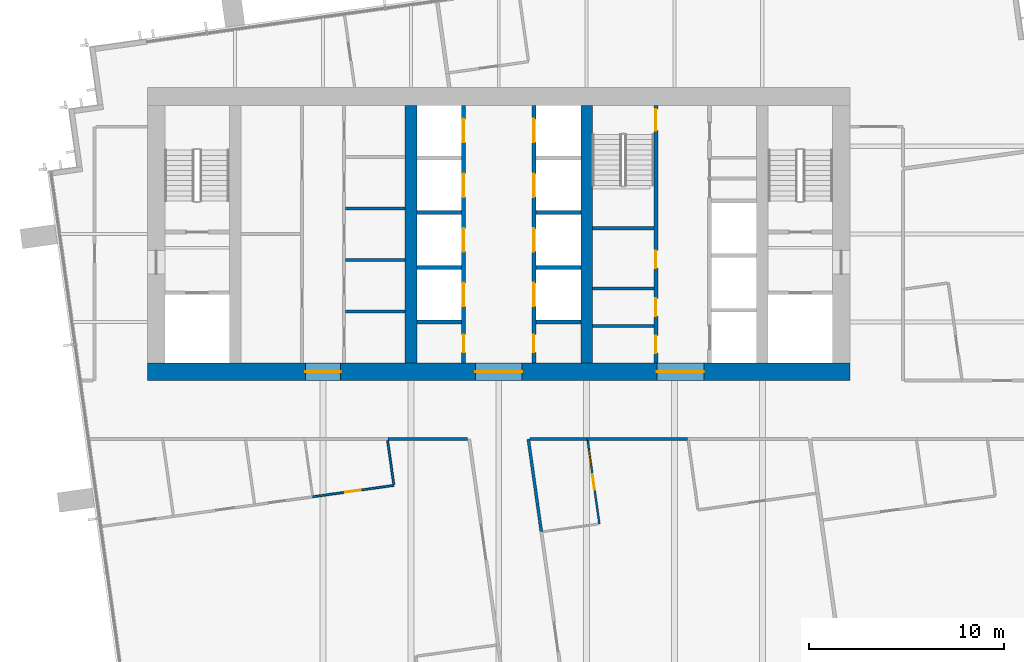
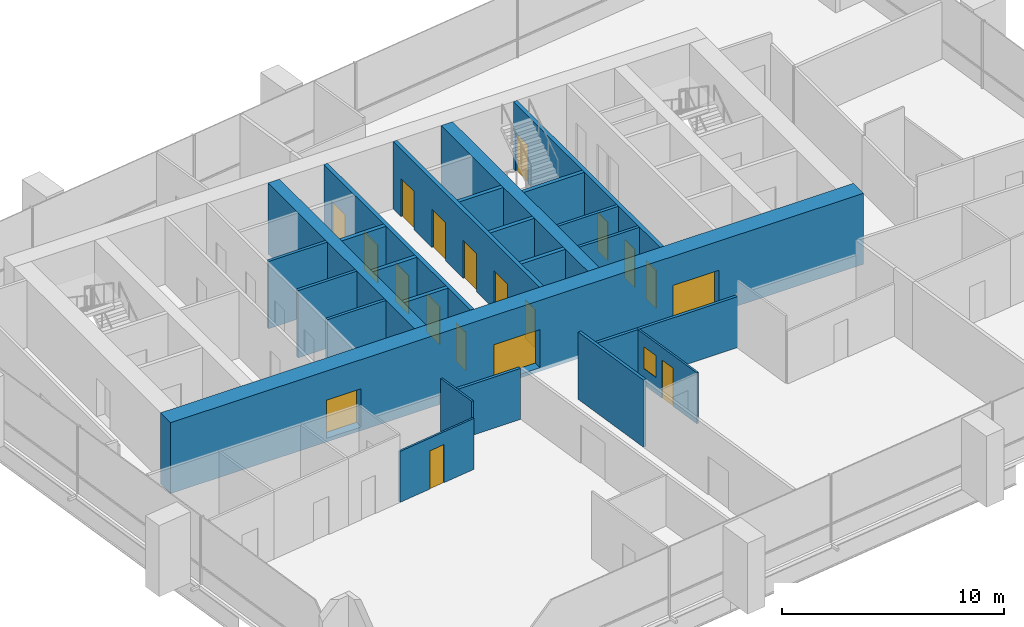
# One storey, part 10 of 14: 25 walls, 19 doors, 1 window, 20 openings.
"""IFC4 building model written with IfcOpenShell, lengths in metres."""

from ifc_helpers import new_model, si_unit, direction, frame, frame_2d, origin, place, context, subcontext, project, spatial, rectangle, extrude, material, layer, layer_set, type_object, element, fill, save


model = new_model("IFC4")

# Units and contexts
model_context = context("Model", 3, precision=1e-05, world=origin(), true_north=direction((0.0, 1.0)))
body_context = subcontext(model_context, "Body", "Model", "MODEL_VIEW")
ifc_project = project(units=[si_unit("LENGTHUNIT", "METRE"), si_unit("AREAUNIT", "SQUARE_METRE"), si_unit("VOLUMEUNIT", "CUBIC_METRE"), si_unit("PLANEANGLEUNIT", "RADIAN"), si_unit("MASSUNIT", "GRAM", prefix="KILO")], contexts=[model_context])

# Site, building, storey
site_placement = place(None, origin())
site = spatial("IfcSite", under=ifc_project, at=site_placement, CompositionType="ELEMENT")
building_placement = place(site_placement, origin())
building = spatial("IfcBuilding", under=site, at=building_placement, Name="Rattan Terrace Tower", CompositionType="ELEMENT")
storey_placement = place(building_placement, frame((0.0, 0.0, 229.10009765625)))
storey = spatial("IfcBuildingStorey", under=building, at=storey_placement, Name="L52", CompositionType="ELEMENT", Elevation=229.10009765625)

# Walls
ifc_material_1 = material(Name="Gypsum board partition")
ifc_layer_1 = layer(ifc_material_1, 0.14990234375)
ifc_layer_set_1 = layer_set([ifc_layer_1], Name="Core partition 150")
wall_type_1 = type_object("IfcWallType", Name="Core partition 150", PredefinedType="PARTITIONING", material=ifc_layer_set_1)
for number, where, z_axis, x_axis, name in (
    (1, (-7.85009765625, -3.9599609375, 0.0), (0.0, 0.0, 1.0), (1.0, 0.0, 0.0), "Core room wall"),
    (2, (-7.85009765625, -1.320068359375, 0.0), (0.0, 0.0, 1.0), (1.0, 0.0, 0.0), "Core room wall"),
    (3, (-7.85009765625, 1.320068359375, 0.0), (0.0, 0.0, 1.0), (1.0, 0.0, 0.0), "Core room wall"),
):
    element("IfcWall", number, at=place(storey_placement, frame(where, z_axis=z_axis, x_axis=x_axis)), inside=storey, type_object=wall_type_1, Name=name, PredefinedType="PARTITIONING", context=body_context, shape_type="SweptSolid", body=[
        extrude(rectangle(XDim=3.050048828125, YDim=0.14990234375, at=frame_2d((1.52490234375, 0.0))), origin(), (0.0, 0.0, 1.0), 3.699951171875),
    ])
for number, where, z_axis, x_axis, name in (
    (4, (4.800048828125, -4.696044921875, 0.0), (0.0, 0.0, 1.0), (1.0, 0.0, 0.0), "Toilet wall"),
    (5, (4.800048828125, -2.7919921875, 0.0), (0.0, 0.0, 1.0), (1.0, 0.0, 0.0), "Toilet wall"),
):
    element("IfcWall", number, at=place(storey_placement, frame(where, z_axis=z_axis, x_axis=x_axis)), inside=storey, type_object=wall_type_1, Name=name, PredefinedType="PARTITIONING", context=body_context, shape_type="SweptSolid", body=[
        extrude(rectangle(XDim=3.14990234375, YDim=0.14990234375, at=frame_2d((1.574951171875, 0.0))), origin(), (0.0, 0.0, 1.0), 3.699951171875),
    ])

# Wall, openings, doors
ifc_material_2 = material(Name="Gypsum board partition")
ifc_layer_2 = layer(ifc_material_2, 0.199951171875)
ifc_layer_set_2 = layer_set([ifc_layer_2], Name="Core partition 200")
wall_type_2 = type_object("IfcWallType", Name="Core partition 200", PredefinedType="PARTITIONING", material=ifc_layer_set_2)
wall_1_placement = place(storey_placement, frame((8.050048828125, -6.60009765625, 0.0), z_axis=(0.0, 0.0, 1.0), x_axis=(0.0, 1.0, 0.0)))
wall_1 = element("IfcWall", 6, at=wall_1_placement, inside=storey, type_object=wall_type_2, Name="Lobby wall west", PredefinedType="PARTITIONING", context=body_context, shape_type="SweptSolid", body=[
    extrude(rectangle(XDim=13.2001953125, YDim=0.199951171875, at=frame_2d((6.60009765625, 0.0))), origin(), (0.0, 0.0, 1.0), 3.699951171875),
])
opening_1_placement = place(wall_1_placement, frame((0.501953125, 0.0, 0.0)))
opening_1 = element("IfcOpeningElement", 7, at=opening_1_placement, cuts=wall_1, Name="Opening L52-D016", PredefinedType="OPENING", context=body_context, shape_type="SweptSolid", body=[
    extrude(rectangle(XDim=0.89990234375, YDim=2.10009765625, at=frame_2d((0.449951171875, 1.050048828125))), frame((0.0, 0.110595703125, 0.0), z_axis=(0.0, -1.0, 0.0), x_axis=(1.0, 0.0, 0.0)), (0.0, 0.0, 1.0), 0.220947265625),
])
opening_2_placement = place(wall_1_placement, frame((2.406005859375, 0.0, 0.0)))
opening_2 = element("IfcOpeningElement", 8, at=opening_2_placement, cuts=wall_1, Name="Opening L52-D017", PredefinedType="OPENING", context=body_context, shape_type="SweptSolid", body=[
    extrude(rectangle(XDim=0.89990234375, YDim=2.10009765625, at=frame_2d((0.449951171875, 1.050048828125))), frame((0.0, 0.110595703125, 0.0), z_axis=(0.0, -1.0, 0.0), x_axis=(1.0, 0.0, 0.0)), (0.0, 0.0, 1.0), 0.220947265625),
])
opening_3_placement = place(wall_1_placement, frame((4.85400390625, 0.0, 0.0)))
opening_3 = element("IfcOpeningElement", 9, at=opening_3_placement, cuts=wall_1, Name="Opening L52-D018", PredefinedType="OPENING", context=body_context, shape_type="SweptSolid", body=[
    extrude(rectangle(XDim=0.89990234375, YDim=2.10009765625, at=frame_2d((0.449951171875, 1.050048828125))), frame((0.0, 0.110595703125, 0.0), z_axis=(0.0, -1.0, 0.0), x_axis=(1.0, 0.0, 0.0)), (0.0, 0.0, 1.0), 0.220947265625),
])
opening_4_placement = place(wall_1_placement, frame((11.89990234375, 0.0, 0.0)))
opening_4 = element("IfcOpeningElement", 10, at=opening_4_placement, cuts=wall_1, Name="Opening L52-D019", PredefinedType="OPENING", context=body_context, shape_type="SweptSolid", body=[
    extrude(rectangle(XDim=1.10009765625, YDim=2.10009765625, at=frame_2d((0.550048828125, 1.050048828125))), frame((0.0, 0.110595703125, 0.0), z_axis=(0.0, -1.0, 0.0), x_axis=(1.0, 0.0, 0.0)), (0.0, 0.0, 1.0), 0.220947265625),
])
ifc_material_3 = material(Name="Hollow-metal fire door leaf")
door_type_1 = type_object("IfcDoorType", Name="Core stair door 1100", OperationType="NOTDEFINED", PredefinedType="DOOR", material=ifc_material_3)
door_1_placement = place(opening_4_placement, origin())
door_1 = element("IfcDoor", 11, at=door_1_placement, inside=storey, type_object=door_type_1, Name="Door L52-D019", OperationType="SINGLE_SWING_LEFT", OverallHeight=2.10009765625, OverallWidth=1.10009765625, PredefinedType="DOOR", context=body_context, shape_type="SweptSolid", body=[
    extrude(rectangle(XDim=1.10009765625, YDim=2.10009765625, at=frame_2d((0.550048828125, 1.050048828125))), frame((0.0, 0.02490234375, 0.0), z_axis=(0.0, -1.0, 0.0), x_axis=(1.0, 0.0, 0.0)), (0.0, 0.0, 1.0), 0.050048828125),
])
fill(opening_4, door_1)
ifc_material_4 = material(Name="Hollow-metal fire door leaf")
door_type_2 = type_object("IfcDoorType", Name="Core toilet door 900", OperationType="NOTDEFINED", PredefinedType="DOOR", material=ifc_material_4)
door_2_placement = place(opening_1_placement, origin())
door_2 = element("IfcDoor", 12, at=door_2_placement, inside=storey, type_object=door_type_2, Name="Door L52-D016", OperationType="SINGLE_SWING_RIGHT", OverallHeight=2.10009765625, OverallWidth=0.89990234375, PredefinedType="DOOR", context=body_context, shape_type="SweptSolid", body=[
    extrude(rectangle(XDim=0.89990234375, YDim=2.10009765625, at=frame_2d((0.449951171875, 1.050048828125))), frame((0.0, 0.02490234375, 0.0), z_axis=(0.0, -1.0, 0.0), x_axis=(1.0, 0.0, 0.0)), (0.0, 0.0, 1.0), 0.050048828125),
])
fill(opening_1, door_2)
door_3_placement = place(opening_2_placement, origin())
door_3 = element("IfcDoor", 13, at=door_3_placement, inside=storey, type_object=door_type_2, Name="Door L52-D017", OperationType="SINGLE_SWING_LEFT", OverallHeight=2.10009765625, OverallWidth=0.89990234375, PredefinedType="DOOR", context=body_context, shape_type="SweptSolid", body=[
    extrude(rectangle(XDim=0.89990234375, YDim=2.10009765625, at=frame_2d((0.449951171875, 1.050048828125))), frame((0.0, 0.02490234375, 0.0), z_axis=(0.0, -1.0, 0.0), x_axis=(1.0, 0.0, 0.0)), (0.0, 0.0, 1.0), 0.050048828125),
])
fill(opening_2, door_3)
door_4_placement = place(opening_3_placement, origin())
door_4 = element("IfcDoor", 14, at=door_4_placement, inside=storey, type_object=door_type_2, Name="Door L52-D018", OperationType="SINGLE_SWING_RIGHT", OverallHeight=2.10009765625, OverallWidth=0.89990234375, PredefinedType="DOOR", context=body_context, shape_type="SweptSolid", body=[
    extrude(rectangle(XDim=0.89990234375, YDim=2.10009765625, at=frame_2d((0.449951171875, 1.050048828125))), frame((0.0, 0.02490234375, 0.0), z_axis=(0.0, -1.0, 0.0), x_axis=(1.0, 0.0, 0.0)), (0.0, 0.0, 1.0), 0.050048828125),
])
fill(opening_3, door_4)

# Wall
wall_2_placement = place(storey_placement, frame((4.800048828125, 0.300048828125, 0.0), z_axis=(0.0, 0.0, 1.0), x_axis=(1.0, 0.0, 0.0)))
element("IfcWall", 15, at=wall_2_placement, inside=storey, type_object=wall_type_2, Name="Stair enclosure wall", PredefinedType="PARTITIONING", context=body_context, shape_type="SweptSolid", body=[
    extrude(rectangle(XDim=3.14990234375, YDim=0.199951171875, at=frame_2d((1.574951171875, 0.0))), origin(), (0.0, 0.0, 1.0), 3.699951171875),
])

# Wall, openings, doors
ifc_material_5 = material(Name="Concrete C50/60", Category="concrete")
ifc_layer_3 = layer(ifc_material_5, 0.89990234375)
ifc_layer_set_3 = layer_set([ifc_layer_3], Name="Core ring wall 900 C50/60")
wall_type_3 = type_object("IfcWallType", Name="Core ring wall 900 C50/60", PredefinedType="SHEAR", material=ifc_layer_set_3)
wall_3_placement = place(storey_placement, frame((-18.0, -7.050048828125, -0.2001953125), z_axis=(0.0, 0.0, 1.0), x_axis=(1.0, 0.0, 0.0)))
wall_3 = element("IfcWall", 16, at=wall_3_placement, inside=storey, type_object=wall_type_3, Name="Rear core wall south", PredefinedType="SHEAR", context=body_context, shape_type="SweptSolid", body=[
    extrude(rectangle(XDim=36.0, YDim=0.89990234375, at=frame_2d((18.0, 0.0))), origin(), (0.0, 0.0, 1.0), 3.900146484375),
])
opening_5_placement = place(wall_3_placement, frame((8.10009765625, 0.0, 0.199951171875)))
opening_5 = element("IfcOpeningElement", 17, at=opening_5_placement, cuts=wall_3, Name="Opening L52-D012", PredefinedType="OPENING", context=body_context, shape_type="SweptSolid", body=[
    extrude(rectangle(XDim=1.800048828125, YDim=2.10009765625, at=frame_2d((0.89990234375, 1.050048828125))), frame((0.0, 0.46044921875, 0.0), z_axis=(0.0, -1.0, 0.0), x_axis=(1.0, 0.0, 0.0)), (0.0, 0.0, 1.0), 0.9208984375),
])
opening_6_placement = place(wall_3_placement, frame((16.800048828125, 0.0, 0.199951171875)))
opening_6 = element("IfcOpeningElement", 18, at=opening_6_placement, cuts=wall_3, Name="Opening L52-D015", PredefinedType="OPENING", context=body_context, shape_type="SweptSolid", body=[
    extrude(rectangle(XDim=2.39990234375, YDim=2.10009765625, at=frame_2d((1.199951171875, 1.050048828125))), frame((0.0, 0.46044921875, 0.0), z_axis=(0.0, -1.0, 0.0), x_axis=(1.0, 0.0, 0.0)), (0.0, 0.0, 1.0), 0.9208984375),
])
opening_7_placement = place(wall_3_placement, frame((26.10009765625, 0.0, 0.199951171875)))
opening_7 = element("IfcOpeningElement", 19, at=opening_7_placement, cuts=wall_3, Name="Opening L52-D020", PredefinedType="OPENING", context=body_context, shape_type="SweptSolid", body=[
    extrude(rectangle(XDim=2.39990234375, YDim=2.10009765625, at=frame_2d((1.199951171875, 1.050048828125))), frame((0.0, 0.46044921875, 0.0), z_axis=(0.0, -1.0, 0.0), x_axis=(1.0, 0.0, 0.0)), (0.0, 0.0, 1.0), 0.9208984375),
])
ifc_material_6 = material(Name="Hollow-metal fire door leaf")
door_type_3 = type_object("IfcDoorType", Name="Core lift lobby door 2400", OperationType="NOTDEFINED", PredefinedType="DOOR", material=ifc_material_6)
door_5_placement = place(opening_6_placement, origin())
door_5 = element("IfcDoor", 20, at=door_5_placement, inside=storey, type_object=door_type_3, Name="Door L52-D015", OperationType="DOUBLE_DOOR_DOUBLE_SWING", OverallHeight=2.10009765625, OverallWidth=2.39990234375, PredefinedType="DOOR", context=body_context, shape_type="SweptSolid", body=[
    extrude(rectangle(XDim=2.39990234375, YDim=2.10009765625, at=frame_2d((1.199951171875, 1.050048828125))), frame((0.0, 0.02490234375, 0.0), z_axis=(0.0, -1.0, 0.0), x_axis=(1.0, 0.0, 0.0)), (0.0, 0.0, 1.0), 0.050048828125),
])
fill(opening_6, door_5)
door_6_placement = place(opening_7_placement, origin())
door_6 = element("IfcDoor", 21, at=door_6_placement, inside=storey, type_object=door_type_3, Name="Door L52-D020", OperationType="DOUBLE_DOOR_DOUBLE_SWING", OverallHeight=2.10009765625, OverallWidth=2.39990234375, PredefinedType="DOOR", context=body_context, shape_type="SweptSolid", body=[
    extrude(rectangle(XDim=2.39990234375, YDim=2.10009765625, at=frame_2d((1.199951171875, 1.050048828125))), frame((0.0, 0.02490234375, 0.0), z_axis=(0.0, -1.0, 0.0), x_axis=(1.0, 0.0, 0.0)), (0.0, 0.0, 1.0), 0.050048828125),
])
fill(opening_7, door_6)
ifc_material_7 = material(Name="Hollow-metal fire door leaf")
door_type_4 = type_object("IfcDoorType", Name="Core service room door 1800", OperationType="NOTDEFINED", PredefinedType="DOOR", material=ifc_material_7)
door_7_placement = place(opening_5_placement, origin())
door_7 = element("IfcDoor", 22, at=door_7_placement, inside=storey, type_object=door_type_4, Name="Door L52-D012", OperationType="SINGLE_SWING_LEFT", OverallHeight=2.10009765625, OverallWidth=1.800048828125, PredefinedType="DOOR", context=body_context, shape_type="SweptSolid", body=[
    extrude(rectangle(XDim=1.800048828125, YDim=2.10009765625, at=frame_2d((0.89990234375, 1.050048828125))), frame((0.0, 0.02490234375, 0.0), z_axis=(0.0, -1.0, 0.0), x_axis=(1.0, 0.0, 0.0)), (0.0, 0.0, 1.0), 0.050048828125),
])
fill(opening_5, door_7)

# Walls
ifc_material_8 = material(Name="Concrete C50/60", Category="concrete")
ifc_layer_4 = layer(ifc_material_8, 0.60009765625)
ifc_layer_set_4 = layer_set([ifc_layer_4], Name="Core spine wall 600 C50/60")
wall_type_4 = type_object("IfcWallType", Name="Core spine wall 600 C50/60", PredefinedType="SHEAR", material=ifc_layer_set_4)
for number, where, z_axis, x_axis, name in (
    (23, (-4.5, -6.60009765625, -0.2001953125), (0.0, 0.0, 1.0), (0.0, 1.0, 0.0), "Core spine wall 2"),
    (24, (4.5, -6.60009765625, -0.2001953125), (0.0, 0.0, 1.0), (0.0, 1.0, 0.0), "Core spine wall 3"),
):
    element("IfcWall", number, at=place(storey_placement, frame(where, z_axis=z_axis, x_axis=x_axis)), inside=storey, type_object=wall_type_4, Name=name, PredefinedType="SHEAR", context=body_context, shape_type="SweptSolid", body=[
        extrude(rectangle(XDim=13.2001953125, YDim=0.60009765625, at=frame_2d((6.60009765625, 0.0))), origin(), (0.0, 0.0, 1.0), 3.900146484375),
    ])

# Wall, opening, door
ifc_material_9 = material(Name="Gypsum board partition on steel studs", Category="steel")
ifc_layer_5 = layer(ifc_material_9, 0.10009765625)
ifc_layer_set_5 = layer_set([ifc_layer_5], Name="Floors Partition 100")
wall_type_5 = type_object("IfcWallType", Name="Floors Partition 100", PredefinedType="PARTITIONING", material=ifc_layer_set_5)
wall_4_placement = place(storey_placement, frame((-9.549072265625, -13.4560546875, 0.0), z_axis=(0.0, 0.0, 1.0), x_axis=(0.99027315077, 0.139136935655, 0.0)))
wall_4 = element("IfcWall", 25, at=wall_4_placement, inside=storey, type_object=wall_type_5, Name="pt-L52-030", PredefinedType="PARTITIONING", context=body_context, shape_type="SweptSolid", body=[
    extrude(rectangle(XDim=4.219970703125, YDim=0.10009765625, at=frame_2d((2.10986328125, 0.0))), origin(), (0.0, 0.0, 1.0), 2.7998046875),
])
opening_8_placement = place(wall_4_placement, frame((1.7099609375, 0.0, 0.0)))
opening_8 = element("IfcOpeningElement", 26, at=opening_8_placement, cuts=wall_4, Name="Opening L52-D105", PredefinedType="OPENING", context=body_context, shape_type="SweptSolid", body=[
    extrude(rectangle(XDim=0.800048828125, YDim=2.10009765625, at=frame_2d((0.39990234375, 1.050048828125))), frame((0.0, 0.060546875, 0.0), z_axis=(0.0, -1.0, 0.0), x_axis=(1.0, 0.0, 0.0)), (0.0, 0.0, 1.0), 0.12109375),
])
ifc_material_10 = material(Name="Solid core timber door, painted", Category="wood")
door_type_5 = type_object("IfcDoorType", Name="Floors Store Door 800x2100", OperationType="NOTDEFINED", PredefinedType="DOOR", material=ifc_material_10)
door_8_placement = place(opening_8_placement, origin())
door_8 = element("IfcDoor", 27, at=door_8_placement, inside=storey, type_object=door_type_5, Name="d-L52-105", OperationType="SINGLE_SWING_RIGHT", OverallHeight=2.10009765625, OverallWidth=0.800048828125, PredefinedType="DOOR", context=body_context, shape_type="SweptSolid", body=[
    extrude(rectangle(XDim=0.800048828125, YDim=2.10009765625, at=frame_2d((0.39990234375, 1.050048828125))), frame((0.0, 0.02490234375, 0.0), z_axis=(0.0, -1.0, 0.0), x_axis=(1.0, 0.0, 0.0)), (0.0, 0.0, 1.0), 0.050048828125),
])
fill(opening_8, door_8)

# Wall
wall_5_placement = place(storey_placement, frame((-5.376953125, -12.819091796875, 0.0), z_axis=(0.0, 0.0, 1.0), x_axis=(-0.139090262588, 0.990279707382, 0.0)))
element("IfcWall", 28, at=wall_5_placement, inside=storey, type_object=wall_type_5, Name="pt-L52-031", PredefinedType="PARTITIONING", context=body_context, shape_type="SweptSolid", body=[
    extrude(rectangle(XDim=2.273193359375, YDim=0.10009765625, at=frame_2d((1.13671875, 0.0))), origin(), (0.0, 0.0, 1.0), 3.699951171875),
])

# Wall, openings, door, window
wall_6_placement = place(storey_placement, frame((5.154052734375, -14.8359375, 0.0), z_axis=(0.0, 0.0, 1.0), x_axis=(-0.139240076126, 0.990258653686, 0.0)))
wall_6 = element("IfcWall", 29, at=wall_6_placement, inside=storey, type_object=wall_type_5, Name="pt-L52-036", PredefinedType="PARTITIONING", context=body_context, shape_type="SweptSolid", body=[
    extrude(rectangle(XDim=4.309814453125, YDim=0.10009765625, at=frame_2d((2.15478515625, 0.0))), origin(), (0.0, 0.0, 1.0), 2.7998046875),
])
opening_9_placement = place(wall_6_placement, frame((1.7548828125, 0.0, 0.0)))
opening_9 = element("IfcOpeningElement", 30, at=opening_9_placement, cuts=wall_6, Name="Opening L52-D107", PredefinedType="OPENING", context=body_context, shape_type="SweptSolid", body=[
    extrude(rectangle(XDim=0.800048828125, YDim=2.10009765625, at=frame_2d((0.39990234375, 1.050048828125))), frame((0.0, 0.060546875, 0.0), z_axis=(0.0, -1.0, 0.0), x_axis=(1.0, 0.0, 0.0)), (0.0, 0.0, 1.0), 0.12109375),
])
opening_10_placement = place(wall_6_placement, frame((2.97412109375, 0.0, 0.89990234375)))
opening_10 = element("IfcOpeningElement", 31, at=opening_10_placement, cuts=wall_6, Name="Opening L52-W102", PredefinedType="OPENING", context=body_context, shape_type="SweptSolid", body=[
    extrude(rectangle(XDim=0.89990234375, YDim=1.199951171875, at=frame_2d((0.449951171875, 0.60009765625))), frame((0.0, 0.060546875, 0.0), z_axis=(0.0, -1.0, 0.0), x_axis=(1.0, 0.0, 0.0)), (0.0, 0.0, 1.0), 0.12109375),
])
door_9_placement = place(opening_9_placement, origin())
door_9 = element("IfcDoor", 32, at=door_9_placement, inside=storey, type_object=door_type_5, Name="d-L52-107", OperationType="SINGLE_SWING_RIGHT", OverallHeight=2.10009765625, OverallWidth=0.800048828125, PredefinedType="DOOR", context=body_context, shape_type="SweptSolid", body=[
    extrude(rectangle(XDim=0.800048828125, YDim=2.10009765625, at=frame_2d((0.39990234375, 1.050048828125))), frame((0.0, 0.02490234375, 0.0), z_axis=(0.0, -1.0, 0.0), x_axis=(1.0, 0.0, 0.0)), (0.0, 0.0, 1.0), 0.050048828125),
])
fill(opening_9, door_9)
ifc_material_11 = material(Name="Glass, clear, fixed in aluminium frame", Category="aluminium")
window_type = type_object("IfcWindowType", Name="Interior Vision Window 900x1200", PartitioningType="SINGLE_PANEL", PredefinedType="WINDOW", material=ifc_material_11)
window_placement = place(opening_10_placement, origin())
window = element("IfcWindow", 33, at=window_placement, inside=storey, type_object=window_type, Name="w-L52-102", OverallHeight=1.199951171875, OverallWidth=0.89990234375, PartitioningType="SINGLE_PANEL", PredefinedType="WINDOW", context=body_context, shape_type="SweptSolid", body=[
    extrude(rectangle(XDim=0.89990234375, YDim=1.199951171875, at=frame_2d((0.449951171875, 0.60009765625))), frame((0.0, 0.030029296875, 0.0), z_axis=(0.0, -1.0, 0.0), x_axis=(1.0, 0.0, 0.0)), (0.0, 0.0, 1.0), 0.06005859375),
])
fill(opening_10, window)

# Walls
ifc_material_12 = material(Name="Gypsum board partition on steel studs, fire rated", Category="steel")
ifc_layer_6 = layer(ifc_material_12, 0.14990234375)
ifc_layer_set_6 = layer_set([ifc_layer_6], Name="Floors Tenancy Wall 150")
wall_type_6 = type_object("IfcWallType", Name="Floors Tenancy Wall 150", PredefinedType="PARTITIONING", material=ifc_layer_set_6)
wall_7_placement = place(storey_placement, frame((-1.589111328125, -10.5, 0.0), z_axis=(0.0, 0.0, 1.0), x_axis=(-1.0, 0.0, 0.0)))
element("IfcWall", 34, at=wall_7_placement, inside=storey, type_object=wall_type_6, Name="pt-L52-001", PredefinedType="PARTITIONING", context=body_context, shape_type="SweptSolid", body=[
    extrude(rectangle(XDim=4.093994140625, YDim=0.14990234375, at=frame_2d((2.046875, 0.0))), origin(), (0.0, 0.0, 1.0), 2.7998046875),
])
wall_8_placement = place(storey_placement, frame((9.675048828125, -10.5, 0.0), z_axis=(0.0, 0.0, 1.0), x_axis=(-1.0, 0.0, 0.0)))
element("IfcWall", 35, at=wall_8_placement, inside=storey, type_object=wall_type_6, Name="pt-L52-009", PredefinedType="PARTITIONING", context=body_context, shape_type="SweptSolid", body=[
    extrude(rectangle(XDim=5.151123046875, YDim=0.14990234375, at=frame_2d((2.57568359375, 0.0))), origin(), (0.0, 0.0, 1.0), 2.7998046875),
])
wall_9_placement = place(storey_placement, frame((1.514892578125, -10.5, 0.0), z_axis=(0.0, 0.0, 1.0), x_axis=(0.139146821365, -0.990271761742, 0.0)))
element("IfcWall", 36, at=wall_9_placement, inside=storey, type_object=wall_type_6, Name="pt-L52-010", PredefinedType="PARTITIONING", context=body_context, shape_type="SweptSolid", body=[
    extrude(rectangle(XDim=4.779296875, YDim=0.14990234375, at=frame_2d((2.3896484375, 0.0))), origin(), (0.0, 0.0, 1.0), 3.699951171875),
])
wall_10_placement = place(storey_placement, frame((4.52392578125, -10.4990234375, 0.0), z_axis=(0.0, 0.0, 1.0), x_axis=(-1.0, 0.0, 0.0)))
element("IfcWall", 37, at=wall_10_placement, inside=storey, type_object=wall_type_6, Name="pt-L52-011", PredefinedType="PARTITIONING", context=body_context, shape_type="SweptSolid", body=[
    extrude(rectangle(XDim=2.9228515625, YDim=0.14990234375, at=frame_2d((1.46142578125, 0.0))), origin(), (0.0, 0.0, 1.0), 2.7998046875),
])

# Wall, openings, doors
ifc_material_13 = material(Name="Gypsum shaft wall system")
ifc_layer_7 = layer(ifc_material_13, 0.199951171875)
ifc_layer_set_7 = layer_set([ifc_layer_7], Name="Lift shaft wall 200")
wall_type_7 = type_object("IfcWallType", Name="Lift shaft wall 200", PredefinedType="PARTITIONING", material=ifc_layer_set_7)
wall_11_placement = place(storey_placement, frame((-1.800048828125, -6.60009765625, 0.0), z_axis=(0.0, 0.0, 1.0), x_axis=(0.0, 1.0, 0.0)))
wall_11 = element("IfcWall", 38, at=wall_11_placement, inside=storey, type_object=wall_type_7, Name="Lift shaft front wall", PredefinedType="PARTITIONING", context=body_context, shape_type="SweptSolid", body=[
    extrude(rectangle(XDim=13.2001953125, YDim=0.199951171875, at=frame_2d((6.60009765625, 0.0))), origin(), (0.0, 0.0, 1.0), 3.699951171875),
])
opening_11_placement = place(wall_11_placement, frame((0.550048828125, 0.0, 0.0)))
opening_11 = element("IfcOpeningElement", 39, at=opening_11_placement, cuts=wall_11, Name="Opening L52-D013", PredefinedType="OPENING", context=body_context, shape_type="SweptSolid", body=[
    extrude(rectangle(XDim=0.89990234375, YDim=2.10009765625, at=frame_2d((0.449951171875, 1.050048828125))), frame((0.0, 0.110595703125, 0.0), z_axis=(0.0, -1.0, 0.0), x_axis=(1.0, 0.0, 0.0)), (0.0, 0.0, 1.0), 0.220947265625),
])
opening_12_placement = place(wall_11_placement, frame((2.89990234375, 0.0, 0.0)))
opening_12 = element("IfcOpeningElement", 40, at=opening_12_placement, cuts=wall_11, Name="Opening L52-LD-HR1", PredefinedType="OPENING", context=body_context, shape_type="SweptSolid", body=[
    extrude(rectangle(XDim=1.199951171875, YDim=2.10009765625, at=frame_2d((0.60009765625, 1.050048828125))), frame((0.0, 0.110595703125, 0.0), z_axis=(0.0, -1.0, 0.0), x_axis=(1.0, 0.0, 0.0)), (0.0, 0.0, 1.0), 0.220947265625),
])
opening_13_placement = place(wall_11_placement, frame((5.699951171875, 0.0, 0.0)))
opening_13 = element("IfcOpeningElement", 41, at=opening_13_placement, cuts=wall_11, Name="Opening L52-LD-HR2", PredefinedType="OPENING", context=body_context, shape_type="SweptSolid", body=[
    extrude(rectangle(XDim=1.199951171875, YDim=2.10009765625, at=frame_2d((0.60009765625, 1.050048828125))), frame((0.0, 0.110595703125, 0.0), z_axis=(0.0, -1.0, 0.0), x_axis=(1.0, 0.0, 0.0)), (0.0, 0.0, 1.0), 0.220947265625),
])
opening_14_placement = place(wall_11_placement, frame((8.5, 0.0, 0.0)))
opening_14 = element("IfcOpeningElement", 42, at=opening_14_placement, cuts=wall_11, Name="Opening L52-LD-HR3", PredefinedType="OPENING", context=body_context, shape_type="SweptSolid", body=[
    extrude(rectangle(XDim=1.199951171875, YDim=2.10009765625, at=frame_2d((0.60009765625, 1.050048828125))), frame((0.0, 0.110595703125, 0.0), z_axis=(0.0, -1.0, 0.0), x_axis=(1.0, 0.0, 0.0)), (0.0, 0.0, 1.0), 0.220947265625),
])
opening_15_placement = place(wall_11_placement, frame((11.300048828125, 0.0, 0.0)))
opening_15 = element("IfcOpeningElement", 43, at=opening_15_placement, cuts=wall_11, Name="Opening L52-LD-HR4", PredefinedType="OPENING", context=body_context, shape_type="SweptSolid", body=[
    extrude(rectangle(XDim=1.199951171875, YDim=2.10009765625, at=frame_2d((0.60009765625, 1.050048828125))), frame((0.0, 0.110595703125, 0.0), z_axis=(0.0, -1.0, 0.0), x_axis=(1.0, 0.0, 0.0)), (0.0, 0.0, 1.0), 0.220947265625),
])
ifc_material_14 = material(Name="Brushed stainless landing door panel")
door_type_6 = type_object("IfcDoorType", Name="Core lift landing door 1200", OperationType="DOUBLE_DOOR_SLIDING", PredefinedType="DOOR", material=ifc_material_14)
door_10_placement = place(opening_12_placement, origin())
door_10 = element("IfcDoor", 44, at=door_10_placement, inside=storey, type_object=door_type_6, Name="Door L52-LD-HR1", OperationType="DOUBLE_DOOR_SLIDING", OverallHeight=2.10009765625, OverallWidth=1.199951171875, PredefinedType="DOOR", context=body_context, shape_type="SweptSolid", body=[
    extrude(rectangle(XDim=1.199951171875, YDim=2.10009765625, at=frame_2d((0.60009765625, 1.050048828125))), frame((0.0, 0.02490234375, 0.0), z_axis=(0.0, -1.0, 0.0), x_axis=(1.0, 0.0, 0.0)), (0.0, 0.0, 1.0), 0.050048828125),
])
fill(opening_12, door_10)
door_11_placement = place(opening_13_placement, origin())
door_11 = element("IfcDoor", 45, at=door_11_placement, inside=storey, type_object=door_type_6, Name="Door L52-LD-HR2", OperationType="DOUBLE_DOOR_SLIDING", OverallHeight=2.10009765625, OverallWidth=1.199951171875, PredefinedType="DOOR", context=body_context, shape_type="SweptSolid", body=[
    extrude(rectangle(XDim=1.199951171875, YDim=2.10009765625, at=frame_2d((0.60009765625, 1.050048828125))), frame((0.0, 0.02490234375, 0.0), z_axis=(0.0, -1.0, 0.0), x_axis=(1.0, 0.0, 0.0)), (0.0, 0.0, 1.0), 0.050048828125),
])
fill(opening_13, door_11)
door_12_placement = place(opening_14_placement, origin())
door_12 = element("IfcDoor", 46, at=door_12_placement, inside=storey, type_object=door_type_6, Name="Door L52-LD-HR3", OperationType="DOUBLE_DOOR_SLIDING", OverallHeight=2.10009765625, OverallWidth=1.199951171875, PredefinedType="DOOR", context=body_context, shape_type="SweptSolid", body=[
    extrude(rectangle(XDim=1.199951171875, YDim=2.10009765625, at=frame_2d((0.60009765625, 1.050048828125))), frame((0.0, 0.02490234375, 0.0), z_axis=(0.0, -1.0, 0.0), x_axis=(1.0, 0.0, 0.0)), (0.0, 0.0, 1.0), 0.050048828125),
])
fill(opening_14, door_12)
door_13_placement = place(opening_15_placement, origin())
door_13 = element("IfcDoor", 47, at=door_13_placement, inside=storey, type_object=door_type_6, Name="Door L52-LD-HR4", OperationType="DOUBLE_DOOR_SLIDING", OverallHeight=2.10009765625, OverallWidth=1.199951171875, PredefinedType="DOOR", context=body_context, shape_type="SweptSolid", body=[
    extrude(rectangle(XDim=1.199951171875, YDim=2.10009765625, at=frame_2d((0.60009765625, 1.050048828125))), frame((0.0, 0.02490234375, 0.0), z_axis=(0.0, -1.0, 0.0), x_axis=(1.0, 0.0, 0.0)), (0.0, 0.0, 1.0), 0.050048828125),
])
fill(opening_15, door_13)
ifc_material_15 = material(Name="Hollow-metal fire door leaf")
door_type_7 = type_object("IfcDoorType", Name="Core riser door 900", OperationType="NOTDEFINED", PredefinedType="DOOR", material=ifc_material_15)
door_14_placement = place(opening_11_placement, origin())
door_14 = element("IfcDoor", 48, at=door_14_placement, inside=storey, type_object=door_type_7, Name="Door L52-D013", OperationType="SINGLE_SWING_RIGHT", OverallHeight=2.10009765625, OverallWidth=0.89990234375, PredefinedType="DOOR", context=body_context, shape_type="SweptSolid", body=[
    extrude(rectangle(XDim=0.89990234375, YDim=2.10009765625, at=frame_2d((0.449951171875, 1.050048828125))), frame((0.0, 0.02490234375, 0.0), z_axis=(0.0, -1.0, 0.0), x_axis=(1.0, 0.0, 0.0)), (0.0, 0.0, 1.0), 0.050048828125),
])
fill(opening_11, door_14)

wall_12_placement = place(storey_placement, frame((1.800048828125, -6.60009765625, 0.0), z_axis=(0.0, 0.0, 1.0), x_axis=(0.0, 1.0, 0.0)))
wall_12 = element("IfcWall", 49, at=wall_12_placement, inside=storey, type_object=wall_type_7, Name="Lift shaft front wall", PredefinedType="PARTITIONING", context=body_context, shape_type="SweptSolid", body=[
    extrude(rectangle(XDim=13.2001953125, YDim=0.199951171875, at=frame_2d((6.60009765625, 0.0))), origin(), (0.0, 0.0, 1.0), 3.699951171875),
])
opening_16_placement = place(wall_12_placement, frame((0.550048828125, 0.0, 0.0)))
opening_16 = element("IfcOpeningElement", 50, at=opening_16_placement, cuts=wall_12, Name="Opening L52-D014", PredefinedType="OPENING", context=body_context, shape_type="SweptSolid", body=[
    extrude(rectangle(XDim=0.89990234375, YDim=2.10009765625, at=frame_2d((0.449951171875, 1.050048828125))), frame((0.0, 0.110595703125, 0.0), z_axis=(0.0, -1.0, 0.0), x_axis=(1.0, 0.0, 0.0)), (0.0, 0.0, 1.0), 0.220947265625),
])
opening_17_placement = place(wall_12_placement, frame((2.89990234375, 0.0, 0.0)))
opening_17 = element("IfcOpeningElement", 51, at=opening_17_placement, cuts=wall_12, Name="Opening L52-LD-HR5", PredefinedType="OPENING", context=body_context, shape_type="SweptSolid", body=[
    extrude(rectangle(XDim=1.199951171875, YDim=2.10009765625, at=frame_2d((0.60009765625, 1.050048828125))), frame((0.0, 0.110595703125, 0.0), z_axis=(0.0, -1.0, 0.0), x_axis=(1.0, 0.0, 0.0)), (0.0, 0.0, 1.0), 0.220947265625),
])
opening_18_placement = place(wall_12_placement, frame((5.699951171875, 0.0, 0.0)))
opening_18 = element("IfcOpeningElement", 52, at=opening_18_placement, cuts=wall_12, Name="Opening L52-LD-HR6", PredefinedType="OPENING", context=body_context, shape_type="SweptSolid", body=[
    extrude(rectangle(XDim=1.199951171875, YDim=2.10009765625, at=frame_2d((0.60009765625, 1.050048828125))), frame((0.0, 0.110595703125, 0.0), z_axis=(0.0, -1.0, 0.0), x_axis=(1.0, 0.0, 0.0)), (0.0, 0.0, 1.0), 0.220947265625),
])
opening_19_placement = place(wall_12_placement, frame((8.5, 0.0, 0.0)))
opening_19 = element("IfcOpeningElement", 53, at=opening_19_placement, cuts=wall_12, Name="Opening L52-LD-HR7", PredefinedType="OPENING", context=body_context, shape_type="SweptSolid", body=[
    extrude(rectangle(XDim=1.199951171875, YDim=2.10009765625, at=frame_2d((0.60009765625, 1.050048828125))), frame((0.0, 0.110595703125, 0.0), z_axis=(0.0, -1.0, 0.0), x_axis=(1.0, 0.0, 0.0)), (0.0, 0.0, 1.0), 0.220947265625),
])
opening_20_placement = place(wall_12_placement, frame((11.300048828125, 0.0, 0.0)))
opening_20 = element("IfcOpeningElement", 54, at=opening_20_placement, cuts=wall_12, Name="Opening L52-LD-HR8", PredefinedType="OPENING", context=body_context, shape_type="SweptSolid", body=[
    extrude(rectangle(XDim=1.199951171875, YDim=2.10009765625, at=frame_2d((0.60009765625, 1.050048828125))), frame((0.0, 0.110595703125, 0.0), z_axis=(0.0, -1.0, 0.0), x_axis=(1.0, 0.0, 0.0)), (0.0, 0.0, 1.0), 0.220947265625),
])
door_15_placement = place(opening_17_placement, origin())
door_15 = element("IfcDoor", 55, at=door_15_placement, inside=storey, type_object=door_type_6, Name="Door L52-LD-HR5", OperationType="DOUBLE_DOOR_SLIDING", OverallHeight=2.10009765625, OverallWidth=1.199951171875, PredefinedType="DOOR", context=body_context, shape_type="SweptSolid", body=[
    extrude(rectangle(XDim=1.199951171875, YDim=2.10009765625, at=frame_2d((0.60009765625, 1.050048828125))), frame((0.0, 0.02490234375, 0.0), z_axis=(0.0, -1.0, 0.0), x_axis=(1.0, 0.0, 0.0)), (0.0, 0.0, 1.0), 0.050048828125),
])
fill(opening_17, door_15)
door_16_placement = place(opening_18_placement, origin())
door_16 = element("IfcDoor", 56, at=door_16_placement, inside=storey, type_object=door_type_6, Name="Door L52-LD-HR6", OperationType="DOUBLE_DOOR_SLIDING", OverallHeight=2.10009765625, OverallWidth=1.199951171875, PredefinedType="DOOR", context=body_context, shape_type="SweptSolid", body=[
    extrude(rectangle(XDim=1.199951171875, YDim=2.10009765625, at=frame_2d((0.60009765625, 1.050048828125))), frame((0.0, 0.02490234375, 0.0), z_axis=(0.0, -1.0, 0.0), x_axis=(1.0, 0.0, 0.0)), (0.0, 0.0, 1.0), 0.050048828125),
])
fill(opening_18, door_16)
door_17_placement = place(opening_19_placement, origin())
door_17 = element("IfcDoor", 57, at=door_17_placement, inside=storey, type_object=door_type_6, Name="Door L52-LD-HR7", OperationType="DOUBLE_DOOR_SLIDING", OverallHeight=2.10009765625, OverallWidth=1.199951171875, PredefinedType="DOOR", context=body_context, shape_type="SweptSolid", body=[
    extrude(rectangle(XDim=1.199951171875, YDim=2.10009765625, at=frame_2d((0.60009765625, 1.050048828125))), frame((0.0, 0.02490234375, 0.0), z_axis=(0.0, -1.0, 0.0), x_axis=(1.0, 0.0, 0.0)), (0.0, 0.0, 1.0), 0.050048828125),
])
fill(opening_19, door_17)
door_18_placement = place(opening_20_placement, origin())
door_18 = element("IfcDoor", 58, at=door_18_placement, inside=storey, type_object=door_type_6, Name="Door L52-LD-HR8", OperationType="DOUBLE_DOOR_SLIDING", OverallHeight=2.10009765625, OverallWidth=1.199951171875, PredefinedType="DOOR", context=body_context, shape_type="SweptSolid", body=[
    extrude(rectangle(XDim=1.199951171875, YDim=2.10009765625, at=frame_2d((0.60009765625, 1.050048828125))), frame((0.0, 0.02490234375, 0.0), z_axis=(0.0, -1.0, 0.0), x_axis=(1.0, 0.0, 0.0)), (0.0, 0.0, 1.0), 0.050048828125),
])
fill(opening_20, door_18)
door_19_placement = place(opening_16_placement, origin())
door_19 = element("IfcDoor", 59, at=door_19_placement, inside=storey, type_object=door_type_7, Name="Door L52-D014", OperationType="SINGLE_SWING_LEFT", OverallHeight=2.10009765625, OverallWidth=0.89990234375, PredefinedType="DOOR", context=body_context, shape_type="SweptSolid", body=[
    extrude(rectangle(XDim=0.89990234375, YDim=2.10009765625, at=frame_2d((0.449951171875, 1.050048828125))), frame((0.0, 0.02490234375, 0.0), z_axis=(0.0, -1.0, 0.0), x_axis=(1.0, 0.0, 0.0)), (0.0, 0.0, 1.0), 0.050048828125),
])
fill(opening_16, door_19)

# Walls
for number, where, z_axis, x_axis, name in (
    (60, (-4.199951171875, -1.699951171875, 0.0), (0.0, 0.0, 1.0), (1.0, 0.0, 0.0), "Lift shaft wall"),
    (61, (-4.199951171875, 1.10009765625, 0.0), (0.0, 0.0, 1.0), (1.0, 0.0, 0.0), "Lift shaft wall"),
    (62, (-4.199951171875, -4.5, 0.0), (0.0, 0.0, 1.0), (1.0, 0.0, 0.0), "Lift shaft wall"),
    (63, (1.89990234375, -1.699951171875, 0.0), (0.0, 0.0, 1.0), (1.0, 0.0, 0.0), "Lift shaft wall"),
    (64, (1.89990234375, 1.10009765625, 0.0), (0.0, 0.0, 1.0), (1.0, 0.0, 0.0), "Lift shaft wall"),
    (65, (1.89990234375, -4.5, 0.0), (0.0, 0.0, 1.0), (1.0, 0.0, 0.0), "Lift shaft wall"),
):
    element("IfcWall", number, at=place(storey_placement, frame(where, z_axis=z_axis, x_axis=x_axis)), inside=storey, type_object=wall_type_7, Name=name, PredefinedType="PARTITIONING", context=body_context, shape_type="SweptSolid", body=[
        extrude(rectangle(XDim=2.300048828125, YDim=0.199951171875, at=frame_2d((1.14990234375, 0.0))), origin(), (0.0, 0.0, 1.0), 3.699951171875),
    ])

save(model, "model.ifc")
